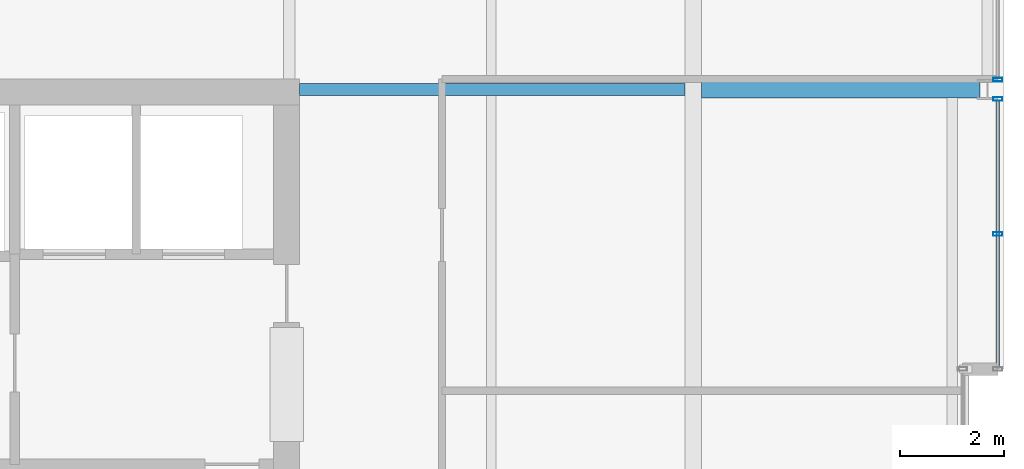
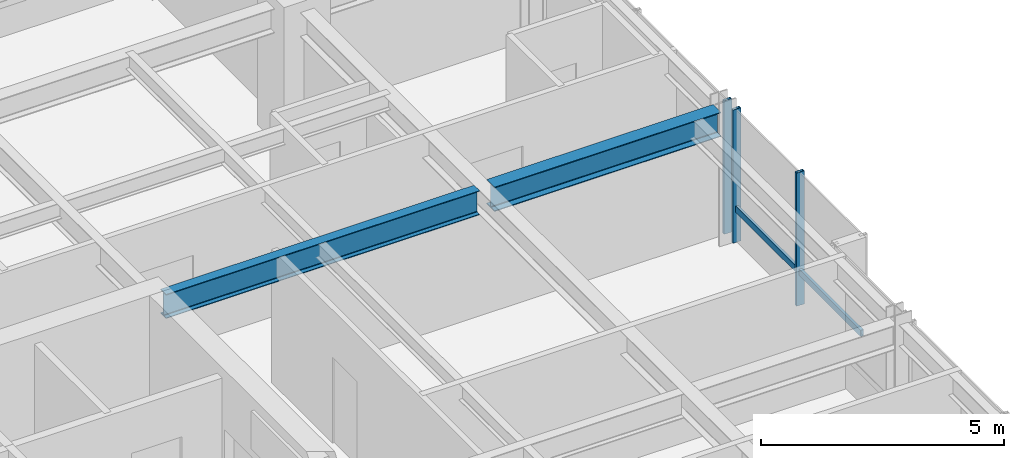
# One storey, part 22 of 32: 4 members, 2 beams, 2 elements without a shape of their own.
"""IFC4 building model written with IfcOpenShell, lengths in metres."""

from ifc_helpers import new_model, si_unit, direction, frame, origin, origin_2d, place, context, subcontext, project, spatial, hollow_rectangle, i_section, extrude, material, layer, layer_set, material_profile, profile_set, type_object, element, aggregate, save


model = new_model("IFC4")

# Units and contexts
model_context = context("Model", 3, precision=1e-05, world=origin(), true_north=direction((0.0, 1.0)))
body_context = subcontext(model_context, "Body", "Model", "MODEL_VIEW")
ifc_project = project(units=[si_unit("LENGTHUNIT", "METRE"), si_unit("AREAUNIT", "SQUARE_METRE"), si_unit("VOLUMEUNIT", "CUBIC_METRE"), si_unit("PLANEANGLEUNIT", "RADIAN"), si_unit("MASSUNIT", "GRAM", prefix="KILO")], contexts=[model_context])

# Site, building, storey
site_placement = place(None, origin())
site = spatial("IfcSite", under=ifc_project, at=site_placement, CompositionType="ELEMENT")
building_placement = place(site_placement, origin())
building = spatial("IfcBuilding", under=site, at=building_placement, Name="Drelvath Grand Hotel", CompositionType="ELEMENT")
storey_placement = place(building_placement, frame((0.0, 0.0, 233.89990234375)))
storey = spatial("IfcBuildingStorey", under=building, at=storey_placement, Name="L61", CompositionType="ELEMENT", Elevation=233.89990234375)

# Curtain wall, members
ifc_material_1 = material(Name="Platinum-Mist Anodised Aluminium Frame", Category="aluminium")
ifc_layer = layer(ifc_material_1, 0.199951171875)
ifc_layer_set = layer_set([ifc_layer], Name="Platinum-Mist Anodised Aluminium Frame")
curtain_wall_type = type_object("IfcCurtainWallType", Name="Stick Curtain Wall CW-05 Platinum Mist High-Rise", PredefinedType="NOTDEFINED", material=ifc_layer_set)
curtain_wall_1_placement = place(storey_placement, origin())
curtain_wall_1 = element("IfcCurtainWall", 1, at=curtain_wall_1_placement, inside=storey, type_object=curtain_wall_type, Name="L61 CW-05 Curtain Wall CW05-L61-EN1", PredefinedType="NOTDEFINED")
ifc_material_profile_1 = material_profile(ifc_material_1, hollow_rectangle(XDim=0.06494140625, YDim=0.159912109375, WallThickness=0.00390625, at=origin_2d()), Name="HSS160X65X4")
ifc_profile_set_1 = profile_set([ifc_material_profile_1], Name="Platinum-Mist Anodised Aluminium Frame")
member_type_1 = type_object("IfcMemberType", Name="Curtain Wall Horizontal Transom CW-05 HSS160X65X4", PredefinedType="USERDEFINED", material=ifc_profile_set_1)
member_1_placement = place(storey_placement, frame((22.080078125, 35.1748046875, 0.835205078125), z_axis=(0.0, -1.0, 0.0), x_axis=(1.0, 0.0, 0.0)))
member_1 = element("IfcMember", 2, at=member_1_placement, type_object=member_type_1, Name="CW05-L61-EN1 Sill Transom", ObjectType="TRANSOM", PredefinedType="USERDEFINED", context=body_context, shape_type="SweptSolid", body=[
    extrude(hollow_rectangle(XDim=0.06494140625, YDim=0.159912109375, WallThickness=0.00390625, at=origin_2d()), origin(), (0.0, 0.0, 1.0), 5.134765625),
])
ifc_material_profile_2 = material_profile(ifc_material_1, hollow_rectangle(XDim=0.074951171875, YDim=0.179931640625, WallThickness=0.0048828125, at=origin_2d()), Name="HSS180X75X5")
ifc_profile_set_2 = profile_set([ifc_material_profile_2], Name="Platinum-Mist Anodised Aluminium Frame")
member_type_2 = type_object("IfcMemberType", Name="Curtain Wall Vertical Mullion CW-05 HSS180X75X5", PredefinedType="MULLION", material=ifc_profile_set_2)
member_2_placement = place(storey_placement, frame((22.080078125, 35.214599609375, 0.0), z_axis=(0.0, 0.0, 1.0), x_axis=(0.0, 1.0, 0.0)))
member_2 = element("IfcMember", 3, at=member_2_placement, type_object=member_type_2, Name="CW05-L61-EN1 Mullion 1", PredefinedType="MULLION", context=body_context, shape_type="SweptSolid", body=[
    extrude(hollow_rectangle(XDim=0.074951171875, YDim=0.179931640625, WallThickness=0.0048828125, at=origin_2d()), origin(), (0.0, 0.0, 1.0), 3.340087890625),
])
member_3_placement = place(storey_placement, frame((22.080078125, 32.607421875, 0.0), z_axis=(0.0, 0.0, 1.0), x_axis=(0.0, 1.0, 0.0)))
member_3 = element("IfcMember", 4, at=member_3_placement, type_object=member_type_2, Name="CW05-L61-EN1 Mullion 2", PredefinedType="MULLION", context=body_context, shape_type="SweptSolid", body=[
    extrude(hollow_rectangle(XDim=0.074951171875, YDim=0.179931640625, WallThickness=0.0048828125, at=origin_2d()), origin(), (0.0, 0.0, 1.0), 3.340087890625),
])
aggregate(curtain_wall_1, [member_2, member_3, member_1])

# Curtain wall, member
curtain_wall_2_placement = place(storey_placement, origin())
curtain_wall_2 = element("IfcCurtainWall", 5, at=curtain_wall_2_placement, inside=storey, type_object=curtain_wall_type, Name="L61 CW-05 Curtain Wall CW05-L61-EN2", PredefinedType="NOTDEFINED")
member_4_placement = place(storey_placement, frame((22.080078125, 35.585205078125, 0.0), z_axis=(0.0, 0.0, 1.0), x_axis=(0.0, 1.0, 0.0)))
member_4 = element("IfcMember", 6, at=member_4_placement, type_object=member_type_2, Name="CW05-L61-EN2 Mullion 3", PredefinedType="MULLION", context=body_context, shape_type="SweptSolid", body=[
    extrude(hollow_rectangle(XDim=0.074951171875, YDim=0.179931640625, WallThickness=0.0048828125, at=origin_2d()), origin(), (0.0, 0.0, 1.0), 3.340087890625),
])
aggregate(curtain_wall_2, [member_4])

# Beams
ifc_material_2 = material(Name="Steel ASTM A992 Gr 50", Category="steel")
ifc_material_profile_3 = material_profile(ifc_material_2, i_section(OverallWidth=0.323974609375, OverallDepth=0.611083984375, WebThickness=0.0126953125, FlangeThickness=0.01904296875, FilletRadius=0.02197265625, at=origin_2d()), Name="W24X104")
ifc_profile_set_3 = profile_set([ifc_material_profile_3], Name="Steel ASTM A992 Gr 50")
beam_type_1 = type_object("IfcBeamType", Name="Primary Floor Girder W24X104", PredefinedType="BEAM", material=ifc_profile_set_3)
beam_1_placement = place(storey_placement, frame((16.362060546875, 35.39990234375, 3.034423828125), z_axis=(1.0, 0.0, 0.0), x_axis=(0.0, 1.0, 0.0)))
element("IfcBeam", 7, at=beam_1_placement, inside=storey, type_object=beam_type_1, Name="L61 East Wing Girder F", PredefinedType="BEAM", context=body_context, shape_type="SweptSolid", body=[
    extrude(i_section(OverallWidth=0.323974609375, OverallDepth=0.611083984375, WebThickness=0.0126953125, FlangeThickness=0.01904296875, FilletRadius=0.02197265625, at=origin_2d()), origin(), (0.0, 0.0, 1.0), 5.3779296875),
])
ifc_material_profile_4 = material_profile(ifc_material_2, i_section(OverallWidth=0.228271484375, OverallDepth=0.607666015625, WebThickness=0.01123046875, FlangeThickness=0.017333984375, FilletRadius=0.02001953125, at=origin_2d()), Name="W24X76")
ifc_profile_set_4 = profile_set([ifc_material_profile_4], Name="Steel ASTM A992 Gr 50")
beam_type_2 = type_object("IfcBeamType", Name="Primary Floor Girder W24X76", PredefinedType="BEAM", material=ifc_profile_set_4)
beam_2_placement = place(storey_placement, frame((8.60009765625, 35.39990234375, 3.036376953125), z_axis=(1.0, 0.0, 0.0), x_axis=(0.0, 1.0, 0.0)))
element("IfcBeam", 8, at=beam_2_placement, inside=storey, type_object=beam_type_2, Name="L61 East Core Tie F", PredefinedType="BEAM", context=body_context, shape_type="SweptSolid", body=[
    extrude(i_section(OverallWidth=0.228271484375, OverallDepth=0.607666015625, WebThickness=0.01123046875, FlangeThickness=0.017333984375, FilletRadius=0.02001953125, at=origin_2d()), origin(), (0.0, 0.0, 1.0), 7.43798828125),
])

save(model, "model.ifc")
